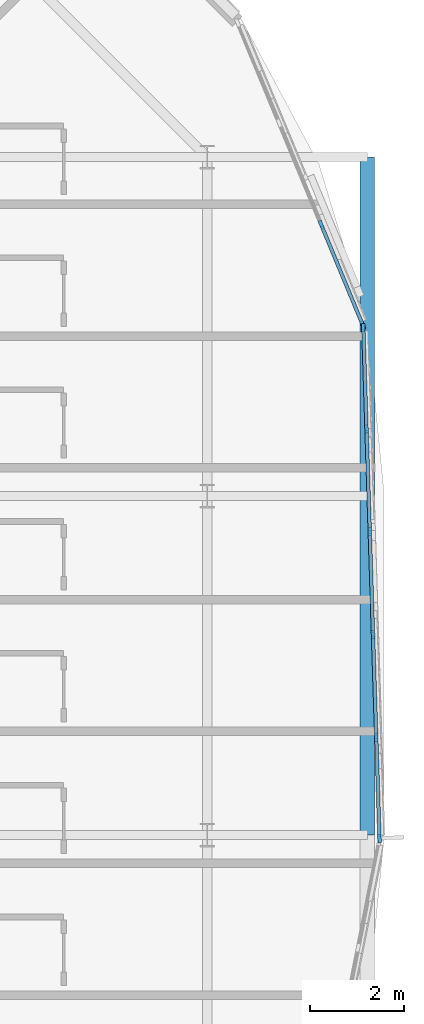
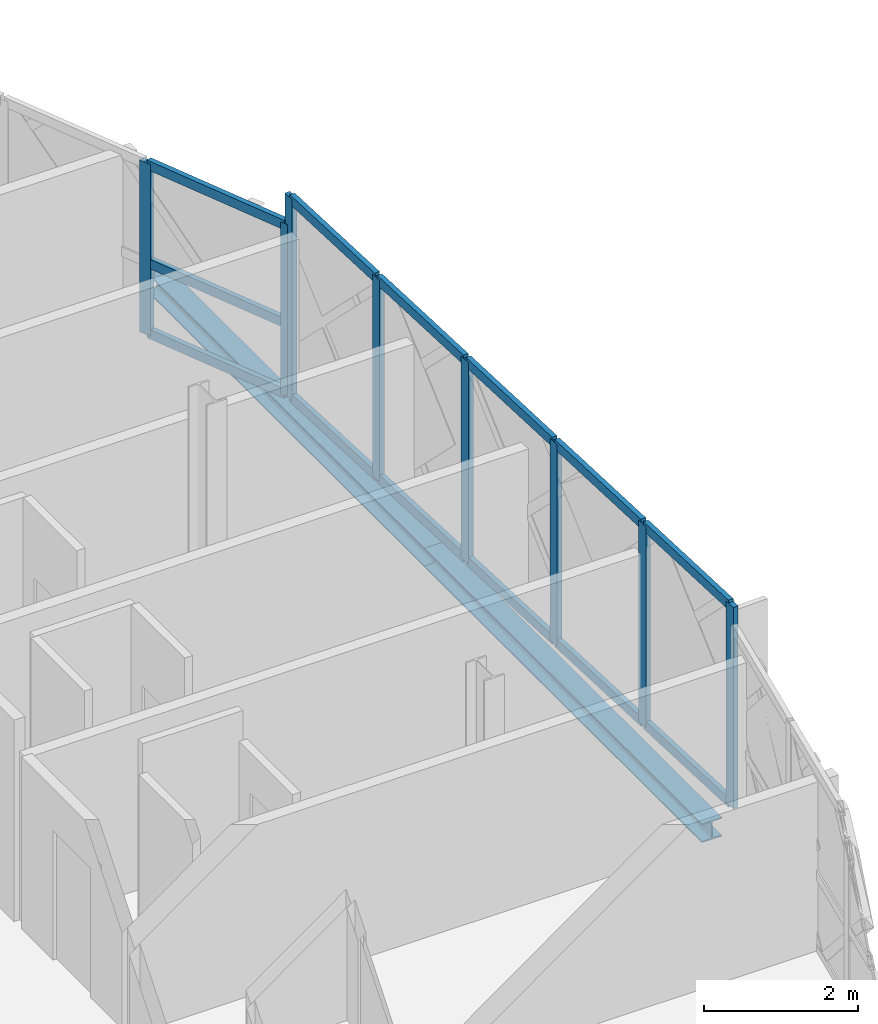
# One storey, part 9 of 26: 21 members, 2 beams, 2 elements without a shape of their own.
"""IFC4 building model written with IfcOpenShell, lengths in metres."""

from ifc_helpers import new_model, si_unit, direction, frame, origin, origin_2d, place, context, subcontext, project, spatial, rectangle, i_section, extrude, material, layer, layer_set, material_profile, profile_set, type_object, element, aggregate, save


model = new_model("IFC4")

# Units and contexts
model_context = context("Model", 3, precision=1e-05, world=origin(), true_north=direction((0.0, 1.0)))
body_context = subcontext(model_context, "Body", "Model", "MODEL_VIEW")
ifc_project = project(units=[si_unit("LENGTHUNIT", "METRE"), si_unit("AREAUNIT", "SQUARE_METRE"), si_unit("VOLUMEUNIT", "CUBIC_METRE"), si_unit("PLANEANGLEUNIT", "RADIAN"), si_unit("MASSUNIT", "GRAM", prefix="KILO")], contexts=[model_context])

# Site, building, storey
site_placement = place(None, origin())
site = spatial("IfcSite", under=ifc_project, at=site_placement, CompositionType="ELEMENT")
building_placement = place(site_placement, origin())
building = spatial("IfcBuilding", under=site, at=building_placement, Name="Zevrakil Square Congress Hotel", CompositionType="ELEMENT")
storey_placement = place(building_placement, frame((0.0, 0.0, 24.89990234375)))
storey = spatial("IfcBuildingStorey", under=building, at=storey_placement, Name="L07", CompositionType="ELEMENT", Elevation=24.89990234375)

# Curtain wall, members
ifc_material_1 = material(Name="Aluminium Anodised Bronze", Category="aluminium")
ifc_layer_1 = layer(ifc_material_1, 0.179931640625)
ifc_layer_set_1 = layer_set([ifc_layer_1], Name="Aluminium Anodised Bronze")
curtain_wall_type_1 = type_object("IfcCurtainWallType", Name="CW-L07-900", PredefinedType="USERDEFINED", material=ifc_layer_set_1)
curtain_wall_1_placement = place(storey_placement, origin())
curtain_wall_1 = element("IfcCurtainWall", 1, at=curtain_wall_1_placement, inside=storey, type_object=curtain_wall_type_1, Name="L07 diamond curtain wall CW-L07-0223", ObjectType="GLAZED CURTAIN WALL", PredefinedType="USERDEFINED")
ifc_material_2 = material(Name="Aluminium Anodised Bronze", Category="aluminium")
ifc_material_profile_1 = material_profile(ifc_material_2, rectangle(XDim=0.074951171875, YDim=0.14990234375, at=origin_2d()), Name="ALU 75x150")
ifc_profile_set_1 = profile_set([ifc_material_profile_1], Name="Aluminium Anodised Bronze")
member_type_1 = type_object("IfcMemberType", Name="CWM-ALU75x150", PredefinedType="USERDEFINED", material=ifc_profile_set_1)
member_1_placement = place(storey_placement, frame((166.858154296875, 23.955078125, 0.030029296875), z_axis=(-0.031602454823, 0.999500517683, 0.0), x_axis=(-0.999500517683, -0.031602454823, 0.0)))
member_1 = element("IfcMember", 2, at=member_1_placement, type_object=member_type_1, Name="CW-84 transom 1.1", ObjectType="TRANSOM", PredefinedType="USERDEFINED", context=body_context, shape_type="SweptSolid", body=[
    extrude(rectangle(XDim=0.074951171875, YDim=0.14990234375, at=origin_2d()), origin(), (0.0, 0.0, 1.0), 2.093505859375),
])
member_2_placement = place(storey_placement, frame((166.858154296875, 23.955078125, 3.16015625), z_axis=(-0.031602454823, 0.999500517683, 0.0), x_axis=(-0.999500517683, -0.031602454823, 0.0)))
member_2 = element("IfcMember", 3, at=member_2_placement, type_object=member_type_1, Name="CW-84 transom 1.2", ObjectType="TRANSOM", PredefinedType="USERDEFINED", context=body_context, shape_type="SweptSolid", body=[
    extrude(rectangle(XDim=0.074951171875, YDim=0.14990234375, at=origin_2d()), origin(), (0.0, 0.0, 1.0), 2.093505859375),
])
member_3_placement = place(storey_placement, frame((166.7900390625, 26.107666015625, 0.030029296875), z_axis=(-0.031615198015, 0.999500114685, 0.0), x_axis=(-0.999500114685, -0.031615198015, 0.0)))
member_3 = element("IfcMember", 4, at=member_3_placement, type_object=member_type_1, Name="CW-84 transom 2.1", ObjectType="TRANSOM", PredefinedType="USERDEFINED", context=body_context, shape_type="SweptSolid", body=[
    extrude(rectangle(XDim=0.074951171875, YDim=0.14990234375, at=origin_2d()), origin(), (0.0, 0.0, 1.0), 2.12353515625),
])
member_4_placement = place(storey_placement, frame((166.7900390625, 26.107666015625, 3.16015625), z_axis=(-0.031615198015, 0.999500114685, 0.0), x_axis=(-0.999500114685, -0.031615198015, 0.0)))
member_4 = element("IfcMember", 5, at=member_4_placement, type_object=member_type_1, Name="CW-84 transom 2.2", ObjectType="TRANSOM", PredefinedType="USERDEFINED", context=body_context, shape_type="SweptSolid", body=[
    extrude(rectangle(XDim=0.074951171875, YDim=0.14990234375, at=origin_2d()), origin(), (0.0, 0.0, 1.0), 2.12353515625),
])
member_5_placement = place(storey_placement, frame((166.720947265625, 28.2900390625, 0.030029296875), z_axis=(-0.031500347942, 0.999503740903, 0.0), x_axis=(-0.999503740903, -0.031500347942, 0.0)))
member_5 = element("IfcMember", 6, at=member_5_placement, type_object=member_type_1, Name="CW-84 transom 3.1", ObjectType="TRANSOM", PredefinedType="USERDEFINED", context=body_context, shape_type="SweptSolid", body=[
    extrude(rectangle(XDim=0.074951171875, YDim=0.14990234375, at=origin_2d()), origin(), (0.0, 0.0, 1.0), 2.12353515625),
])
member_6_placement = place(storey_placement, frame((166.720947265625, 28.2900390625, 3.16015625), z_axis=(-0.031500347942, 0.999503740903, 0.0), x_axis=(-0.999503740903, -0.031500347942, 0.0)))
member_6 = element("IfcMember", 7, at=member_6_placement, type_object=member_type_1, Name="CW-84 transom 3.2", ObjectType="TRANSOM", PredefinedType="USERDEFINED", context=body_context, shape_type="SweptSolid", body=[
    extrude(rectangle(XDim=0.074951171875, YDim=0.14990234375, at=origin_2d()), origin(), (0.0, 0.0, 1.0), 2.12353515625),
])
member_7_placement = place(storey_placement, frame((166.652099609375, 30.47265625, 0.030029296875), z_axis=(-0.031615198015, 0.999500114685, 0.0), x_axis=(-0.999500114685, -0.031615198015, 0.0)))
member_7 = element("IfcMember", 8, at=member_7_placement, type_object=member_type_1, Name="CW-84 transom 4.1", ObjectType="TRANSOM", PredefinedType="USERDEFINED", context=body_context, shape_type="SweptSolid", body=[
    extrude(rectangle(XDim=0.074951171875, YDim=0.14990234375, at=origin_2d()), origin(), (0.0, 0.0, 1.0), 2.12353515625),
])
member_8_placement = place(storey_placement, frame((166.652099609375, 30.47265625, 3.16015625), z_axis=(-0.031615198015, 0.999500114685, 0.0), x_axis=(-0.999500114685, -0.031615198015, 0.0)))
member_8 = element("IfcMember", 9, at=member_8_placement, type_object=member_type_1, Name="CW-84 transom 4.2", ObjectType="TRANSOM", PredefinedType="USERDEFINED", context=body_context, shape_type="SweptSolid", body=[
    extrude(rectangle(XDim=0.074951171875, YDim=0.14990234375, at=origin_2d()), origin(), (0.0, 0.0, 1.0), 2.12353515625),
])
member_9_placement = place(storey_placement, frame((166.5830078125, 32.6552734375, 0.030029296875), z_axis=(-0.031602454823, 0.999500517683, 0.0), x_axis=(-0.999500517683, -0.031602454823, 0.0)))
member_9 = element("IfcMember", 10, at=member_9_placement, type_object=member_type_1, Name="CW-84 transom 5.1", ObjectType="TRANSOM", PredefinedType="USERDEFINED", context=body_context, shape_type="SweptSolid", body=[
    extrude(rectangle(XDim=0.074951171875, YDim=0.14990234375, at=origin_2d()), origin(), (0.0, 0.0, 1.0), 2.093505859375),
])
member_10_placement = place(storey_placement, frame((166.5830078125, 32.6552734375, 3.16015625), z_axis=(-0.031602454823, 0.999500517683, 0.0), x_axis=(-0.999500517683, -0.031602454823, 0.0)))
member_10 = element("IfcMember", 11, at=member_10_placement, type_object=member_type_1, Name="CW-84 transom 5.2", ObjectType="TRANSOM", PredefinedType="USERDEFINED", context=body_context, shape_type="SweptSolid", body=[
    extrude(rectangle(XDim=0.074951171875, YDim=0.14990234375, at=origin_2d()), origin(), (0.0, 0.0, 1.0), 2.093505859375),
])

ifc_material_3 = material(Name="Aluminium Anodised Bronze", Category="aluminium")
ifc_layer_2 = layer(ifc_material_3, 0.179931640625)
ifc_layer_set_2 = layer_set([ifc_layer_2], Name="Aluminium Anodised Bronze")
curtain_wall_type_2 = type_object("IfcCurtainWallType", Name="CW-L07-720", PredefinedType="USERDEFINED", material=ifc_layer_set_2)
curtain_wall_2_placement = place(storey_placement, origin())
curtain_wall_2 = element("IfcCurtainWall", 12, at=curtain_wall_2_placement, inside=storey, type_object=curtain_wall_type_2, Name="L07 diamond curtain wall CW-L07-0224", ObjectType="GLAZED CURTAIN WALL", PredefinedType="USERDEFINED")
member_11_placement = place(storey_placement, frame((166.491943359375, 34.86328125, 0.030029296875), z_axis=(-0.382668727465, 0.923885623343, 0.0), x_axis=(-0.923885623343, -0.382668727465, 0.0)))
member_11 = element("IfcMember", 13, at=member_11_placement, type_object=member_type_1, Name="CW-82 transom 1.1", ObjectType="TRANSOM", PredefinedType="USERDEFINED", context=body_context, shape_type="SweptSolid", body=[
    extrude(rectangle(XDim=0.074951171875, YDim=0.14990234375, at=origin_2d()), origin(), (0.0, 0.0, 1.0), 2.2451171875),
])
member_12_placement = place(storey_placement, frame((166.491943359375, 34.86328125, 1.14453125), z_axis=(-0.382668727465, 0.923885623343, 0.0), x_axis=(-0.923885623343, -0.382668727465, 0.0)))
member_12 = element("IfcMember", 14, at=member_12_placement, type_object=member_type_1, Name="CW-82 transom 1.2", ObjectType="TRANSOM", PredefinedType="USERDEFINED", context=body_context, shape_type="SweptSolid", body=[
    extrude(rectangle(XDim=0.074951171875, YDim=0.14990234375, at=origin_2d()), origin(), (0.0, 0.0, 1.0), 2.2451171875),
])
member_13_placement = place(storey_placement, frame((166.491943359375, 34.86328125, 2.695068359375), z_axis=(-0.382668727465, 0.923885623343, 0.0), x_axis=(-0.923885623343, -0.382668727465, 0.0)))
member_13 = element("IfcMember", 15, at=member_13_placement, type_object=member_type_1, Name="CW-82 transom 1.3", ObjectType="TRANSOM", PredefinedType="USERDEFINED", context=body_context, shape_type="SweptSolid", body=[
    extrude(rectangle(XDim=0.074951171875, YDim=0.14990234375, at=origin_2d()), origin(), (0.0, 0.0, 1.0), 2.2451171875),
])

# Member
ifc_material_4 = material(Name="Aluminium Anodised Bronze", Category="aluminium")
ifc_material_profile_2 = material_profile(ifc_material_4, rectangle(XDim=0.074951171875, YDim=0.179931640625, at=origin_2d()), Name="ALU 75x180")
ifc_profile_set_2 = profile_set([ifc_material_profile_2], Name="Aluminium Anodised Bronze")
member_type_2 = type_object("IfcMemberType", Name="CWM-ALU75x180", PredefinedType="MULLION", material=ifc_profile_set_2)
member_14_placement = place(storey_placement, frame((166.859130859375, 23.925048828125, 0.0), z_axis=(0.0, 0.0, 1.0), x_axis=(-0.999500643846, -0.031598464383, 0.0)))
member_14 = element("IfcMember", 16, at=member_14_placement, type_object=member_type_2, Name="CW-84 mullion 1", PredefinedType="MULLION", context=body_context, shape_type="SweptSolid", body=[
    extrude(rectangle(XDim=0.074951171875, YDim=0.179931640625, at=origin_2d()), origin(), (0.0, 0.0, 1.0), 3.190185546875),
])

member_15_placement = place(storey_placement, frame((166.791015625, 26.07763671875, 0.0), z_axis=(0.0, 0.0, 1.0), x_axis=(-0.999500643846, -0.031598464383, 0.0)))
member_15 = element("IfcMember", 17, at=member_15_placement, type_object=member_type_2, Name="CW-84 mullion 2", PredefinedType="MULLION", context=body_context, shape_type="SweptSolid", body=[
    extrude(rectangle(XDim=0.074951171875, YDim=0.179931640625, at=origin_2d()), origin(), (0.0, 0.0, 1.0), 3.190185546875),
])

member_16_placement = place(storey_placement, frame((166.721923828125, 28.260009765625, 0.0), z_axis=(0.0, 0.0, 1.0), x_axis=(-0.999500643846, -0.031598464383, 0.0)))
member_16 = element("IfcMember", 18, at=member_16_placement, type_object=member_type_2, Name="CW-84 mullion 3", PredefinedType="MULLION", context=body_context, shape_type="SweptSolid", body=[
    extrude(rectangle(XDim=0.074951171875, YDim=0.179931640625, at=origin_2d()), origin(), (0.0, 0.0, 1.0), 3.190185546875),
])

member_17_placement = place(storey_placement, frame((166.653076171875, 30.442626953125, 0.0), z_axis=(0.0, 0.0, 1.0), x_axis=(-0.999500643846, -0.031598464383, 0.0)))
member_17 = element("IfcMember", 19, at=member_17_placement, type_object=member_type_2, Name="CW-84 mullion 4", PredefinedType="MULLION", context=body_context, shape_type="SweptSolid", body=[
    extrude(rectangle(XDim=0.074951171875, YDim=0.179931640625, at=origin_2d()), origin(), (0.0, 0.0, 1.0), 3.190185546875),
])

member_18_placement = place(storey_placement, frame((166.583984375, 32.625244140625, 0.0), z_axis=(0.0, 0.0, 1.0), x_axis=(-0.999500643846, -0.031598464383, 0.0)))
member_18 = element("IfcMember", 20, at=member_18_placement, type_object=member_type_2, Name="CW-84 mullion 5", PredefinedType="MULLION", context=body_context, shape_type="SweptSolid", body=[
    extrude(rectangle(XDim=0.074951171875, YDim=0.179931640625, at=origin_2d()), origin(), (0.0, 0.0, 1.0), 3.190185546875),
])

member_19_placement = place(storey_placement, frame((166.515869140625, 34.77783203125, 0.0), z_axis=(0.0, 0.0, 1.0), x_axis=(-0.999500643846, -0.031598464383, 0.0)))
member_19 = element("IfcMember", 21, at=member_19_placement, type_object=member_type_2, Name="CW-84 mullion 6", PredefinedType="MULLION", context=body_context, shape_type="SweptSolid", body=[
    extrude(rectangle(XDim=0.074951171875, YDim=0.179931640625, at=origin_2d()), origin(), (0.0, 0.0, 1.0), 3.190185546875),
])

aggregate(curtain_wall_1, [member_14, member_15, member_16, member_17, member_18, member_19, member_1, member_2, member_3, member_4, member_5, member_6, member_7, member_8, member_9, member_10])

member_20_placement = place(storey_placement, frame((166.50341796875, 34.83544921875, 0.0), z_axis=(0.0, 0.0, 1.0), x_axis=(-0.92387939537, -0.382683763454, 0.0)))
member_20 = element("IfcMember", 22, at=member_20_placement, type_object=member_type_2, Name="CW-82 mullion 1", PredefinedType="MULLION", context=body_context, shape_type="SweptSolid", body=[
    extrude(rectangle(XDim=0.074951171875, YDim=0.179931640625, at=origin_2d()), origin(), (0.0, 0.0, 1.0), 2.72509765625),
])

member_21_placement = place(storey_placement, frame((165.621337890625, 36.96533203125, 0.0), z_axis=(0.0, 0.0, 1.0), x_axis=(-0.92387939537, -0.382683763454, 0.0)))
member_21 = element("IfcMember", 23, at=member_21_placement, type_object=member_type_2, Name="CW-82 mullion 2", PredefinedType="MULLION", context=body_context, shape_type="SweptSolid", body=[
    extrude(rectangle(XDim=0.074951171875, YDim=0.179931640625, at=origin_2d()), origin(), (0.0, 0.0, 1.0), 2.72509765625),
])

aggregate(curtain_wall_2, [member_20, member_21, member_11, member_12, member_13])

# Beams
ifc_material_5 = material(Name="Steel S355", Category="steel")
ifc_material_profile_3 = material_profile(ifc_material_5, i_section(OverallWidth=0.300048828125, OverallDepth=0.300048828125, WebThickness=0.010986328125, FlangeThickness=0.01904296875, FilletRadius=0.027099609375, at=origin_2d()), Name="HEB 300")
ifc_profile_set_3 = profile_set([ifc_material_profile_3], Name="Steel S355")
beam_type = type_object("IfcBeamType", Name="SPD-RHS250", PredefinedType="SPANDREL", material=ifc_profile_set_3)
for number, where, z_axis, x_axis, name in (
    (24, (166.60009765625, 24.0, -0.35498046875), (0.0, 1.0, 0.0), (-1.0, 0.0, 0.0), "L07 drum edge spandrel beam DSP-05"),
    (25, (166.60009765625, 31.199951171875, -0.35498046875), (0.0, 1.0, 0.0), (-1.0, 0.0, 0.0), "L07 drum edge spandrel beam DSP-06"),
):
    element("IfcBeam", number, at=place(storey_placement, frame(where, z_axis=z_axis, x_axis=x_axis)), inside=storey, type_object=beam_type, Name=name, PredefinedType="SPANDREL", context=body_context, shape_type="SweptSolid", body=[
        extrude(i_section(OverallWidth=0.300048828125, OverallDepth=0.300048828125, WebThickness=0.010986328125, FlangeThickness=0.01904296875, FilletRadius=0.027099609375, at=origin_2d()), origin(), (0.0, 0.0, 1.0), 7.199951171875),
    ])

save(model, "model.ifc")
